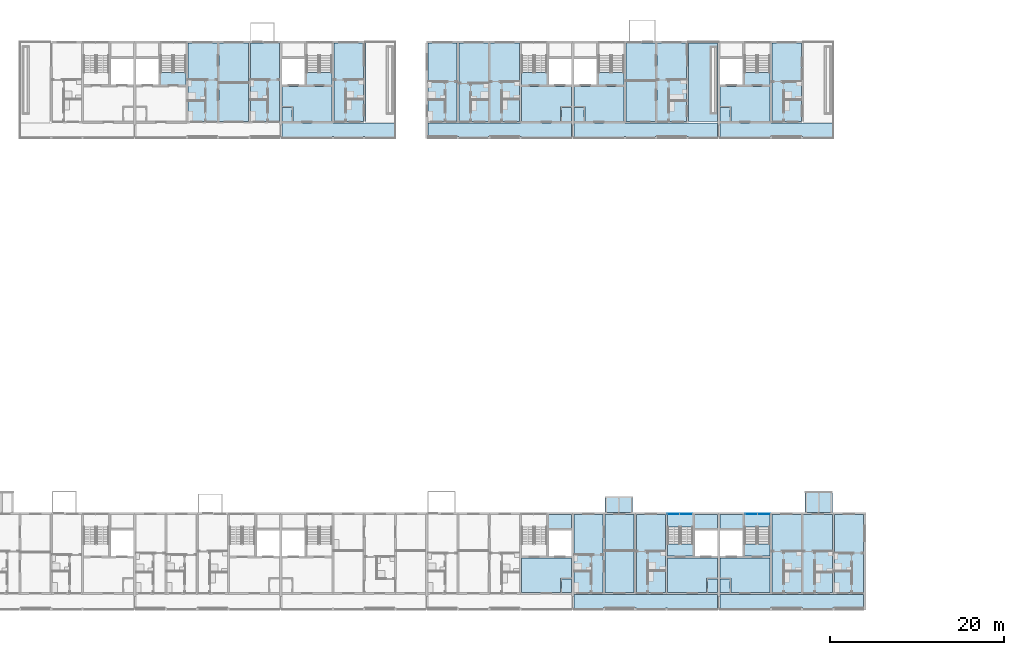
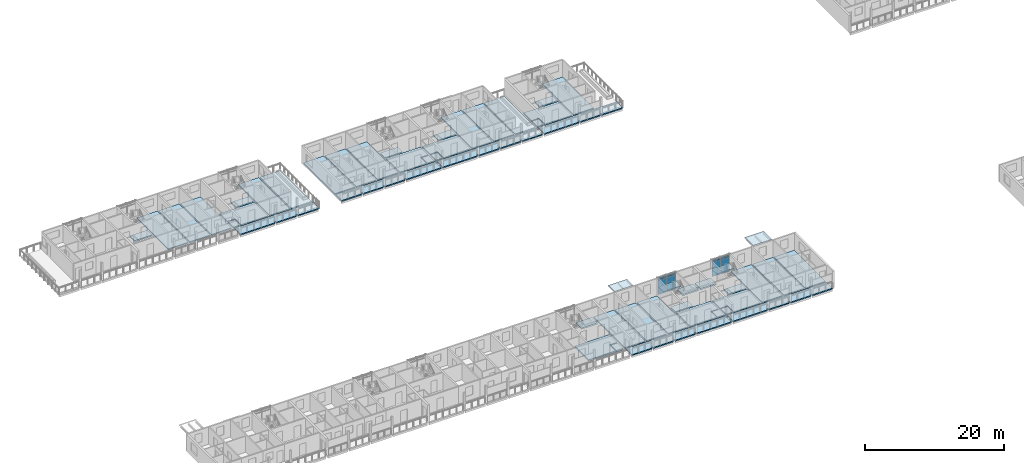
# One storey, part 24 of 94: 52 slabs, 8 plates, 4 elements without a shape of their own.
"""IFC4 building model written with IfcOpenShell, lengths in metres."""

from ifc_helpers import new_model, si_unit, direction, frame, origin, origin_2d, place, context, subcontext, project, spatial, polyline, rectangle, outline, extrude, material, layer, layer_set, type_object, element, aggregate, save


model = new_model("IFC4")

# Units and contexts
model_context = context("Model", 3, precision=1e-05, world=origin(), true_north=direction((0.0, 1.0)))
body_context = subcontext(model_context, "Body", "Model", "MODEL_VIEW")
ifc_project = project(units=[si_unit("LENGTHUNIT", "METRE"), si_unit("AREAUNIT", "SQUARE_METRE"), si_unit("VOLUMEUNIT", "CUBIC_METRE"), si_unit("PLANEANGLEUNIT", "RADIAN"), si_unit("MASSUNIT", "GRAM", prefix="KILO")], contexts=[model_context])

# Site, building, storey
site_placement = place(None, origin())
site = spatial("IfcSite", under=ifc_project, at=site_placement, CompositionType="ELEMENT")
building_placement = place(site_placement, origin())
building = spatial("IfcBuilding", under=site, at=building_placement, Name="Ridgestep Commons", CompositionType="ELEMENT")
storey_placement = place(building_placement, frame((0.0, 0.0, 21.0)))
storey = spatial("IfcBuildingStorey", under=building, at=storey_placement, Name="L07", CompositionType="ELEMENT", Elevation=21.0)

# Slabs
ifc_material_1 = material(Name="Precast concrete C40/50", Category="concrete")
ifc_layer_1 = layer(ifc_material_1, 0.199951171875)
ifc_layer_set_1 = layer_set([ifc_layer_1], Name="Gallery slab 200")
slab_type_1 = type_object("IfcSlabType", Name="Gallery slab 200", PredefinedType="FLOOR", material=ifc_layer_set_1)
slab_1_placement = place(storey_placement, frame((0.0, 0.0, -0.199951171875)))
element("IfcSlab", 1, at=slab_1_placement, inside=storey, type_object=slab_type_1, Name="Gallery slab A5 L07", PredefinedType="FLOOR", context=body_context, shape_type="SweptSolid", body=[
    extrude(outline(polyline([(95.85009765625, 13.550048828125), (79.35009765625, 13.550048828125), (79.35009765625, 11.75), (82.675048828125, 11.75), (82.675048828125, 12.0), (82.925048828125, 12.0), (82.925048828125, 11.75), (86.27490234375, 11.75), (86.27490234375, 12.0), (86.52490234375, 12.0), (86.52490234375, 11.75), (89.875, 11.75), (89.875, 12.0), (90.125, 12.0), (90.125, 11.75), (95.85009765625, 11.75), (95.85009765625, 13.550048828125)])), origin(), (0.0, 0.0, 1.0), 0.199951171875),
])
slab_2_placement = place(storey_placement, frame((0.0, 0.0, -0.199951171875)))
element("IfcSlab", 2, at=slab_2_placement, inside=storey, type_object=slab_type_1, Name="Gallery slab A6 L07", PredefinedType="FLOOR", context=body_context, shape_type="SweptSolid", body=[
    extrude(outline(polyline([(112.64990234375, 13.550048828125), (96.14990234375, 13.550048828125), (96.14990234375, 11.75), (101.875, 11.75), (101.875, 12.0), (102.125, 12.0), (102.125, 11.75), (105.47509765625, 11.75), (105.47509765625, 12.0), (105.72509765625, 12.0), (105.72509765625, 11.75), (109.074951171875, 11.75), (109.074951171875, 12.0), (109.324951171875, 12.0), (109.324951171875, 11.75), (112.64990234375, 11.75), (112.64990234375, 13.550048828125)])), origin(), (0.0, 0.0, 1.0), 0.199951171875),
])
slab_3_placement = place(storey_placement, frame((0.0, 0.0, -0.199951171875)))
element("IfcSlab", 3, at=slab_3_placement, inside=storey, type_object=slab_type_1, Name="Gallery slab B3 L07", PredefinedType="FLOOR", context=body_context, shape_type="SweptSolid", body=[
    extrude(outline(polyline([(58.800048828125, 67.800048828125), (45.75, 67.800048828125), (45.75, 66.0), (51.47509765625, 66.0), (51.47509765625, 66.25), (51.72509765625, 66.25), (51.72509765625, 66.0), (55.074951171875, 66.0), (55.074951171875, 66.25), (55.324951171875, 66.25), (55.324951171875, 66.0), (58.675048828125, 66.0), (58.675048828125, 66.25), (58.800048828125, 66.25), (58.800048828125, 67.800048828125)])), origin(), (0.0, 0.0, 1.0), 0.199951171875),
])
slab_4_placement = place(storey_placement, frame((0.0, 0.0, -0.199951171875)))
element("IfcSlab", 4, at=slab_4_placement, inside=storey, type_object=slab_type_1, Name="Gallery slab B4 L07", PredefinedType="FLOOR", context=body_context, shape_type="SweptSolid", body=[
    extrude(outline(polyline([(79.050048828125, 67.800048828125), (62.550048828125, 67.800048828125), (62.550048828125, 66.0), (65.875, 66.0), (65.875, 66.25), (66.125, 66.25), (66.125, 66.0), (69.47509765625, 66.0), (69.47509765625, 66.25), (69.72509765625, 66.25), (69.72509765625, 66.0), (73.074951171875, 66.0), (73.074951171875, 66.25), (73.324951171875, 66.25), (73.324951171875, 66.0), (79.050048828125, 66.0), (79.050048828125, 67.800048828125)])), origin(), (0.0, 0.0, 1.0), 0.199951171875),
])
slab_5_placement = place(storey_placement, frame((0.0, 0.0, -0.199951171875)))
element("IfcSlab", 5, at=slab_5_placement, inside=storey, type_object=slab_type_1, Name="Gallery slab B5 L07", PredefinedType="FLOOR", context=body_context, shape_type="SweptSolid", body=[
    extrude(outline(polyline([(95.85009765625, 67.800048828125), (79.35009765625, 67.800048828125), (79.35009765625, 66.0), (85.074951171875, 66.0), (85.074951171875, 66.25), (85.324951171875, 66.25), (85.324951171875, 66.0), (88.675048828125, 66.0), (88.675048828125, 66.25), (88.925048828125, 66.25), (88.925048828125, 66.0), (92.27490234375, 66.0), (92.27490234375, 66.25), (92.52490234375, 66.25), (92.52490234375, 66.0), (95.85009765625, 66.0), (95.85009765625, 67.800048828125)])), origin(), (0.0, 0.0, 1.0), 0.199951171875),
])
slab_6_placement = place(storey_placement, frame((0.0, 0.0, -0.199951171875)))
element("IfcSlab", 6, at=slab_6_placement, inside=storey, type_object=slab_type_1, Name="Gallery slab B6 L07", PredefinedType="FLOOR", context=body_context, shape_type="SweptSolid", body=[
    extrude(outline(polyline([(109.199951171875, 67.800048828125), (96.14990234375, 67.800048828125), (96.14990234375, 66.0), (101.875, 66.0), (101.875, 66.25), (102.125, 66.25), (102.125, 66.0), (105.47509765625, 66.0), (105.47509765625, 66.25), (105.72509765625, 66.25), (105.72509765625, 66.0), (109.074951171875, 66.0), (109.074951171875, 66.25), (109.199951171875, 66.25), (109.199951171875, 67.800048828125)])), origin(), (0.0, 0.0, 1.0), 0.199951171875),
])

# Curtain wall, plates
ifc_material_2 = material(Name="Aluminium 6063-T6 and glass", Category="aluminium")
curtain_wall_type = type_object("IfcCurtainWallType", Name="Curtain wall stair strip", PredefinedType="NOTDEFINED", material=ifc_material_2)
curtain_wall_1_placement = place(storey_placement, origin())
curtain_wall_1 = element("IfcCurtainWall", 7, at=curtain_wall_1_placement, inside=storey, type_object=curtain_wall_type, Name="Curtain wall A5C level 07", PredefinedType="NOTDEFINED")
ifc_material_3 = material(Name="Glass laminated 6/16/6 low-emissivity", Category="glass")
ifc_layer_2 = layer(ifc_material_3, 0.028076171875)
ifc_layer_set_2 = layer_set([ifc_layer_2], Name="Glazing panel 28")
plate_type_1 = type_object("IfcPlateType", Name="Glazing panel 28", PredefinedType="CURTAIN_PANEL", material=ifc_layer_set_2)
plate_1_placement = place(storey_placement, frame((90.771240234375, 22.830078125, 0.06005859375), z_axis=(0.0, 0.0, 1.0), x_axis=(1.0, 0.0, 0.0)))
plate_1 = element("IfcPlate", 8, at=plate_1_placement, type_object=plate_type_1, Name="CW1 panel 1.1", PredefinedType="CURTAIN_PANEL", context=body_context, shape_type="SweptSolid", body=[
    extrude(rectangle(XDim=1.422607421875, YDim=0.028076171875, at=origin_2d()), origin(), (0.0, 0.0, 1.0), 2.5),
])
plate_2_placement = place(storey_placement, frame((92.253662109375, 22.830078125, 0.06005859375), z_axis=(0.0, 0.0, 1.0), x_axis=(1.0, 0.0, 0.0)))
plate_2 = element("IfcPlate", 9, at=plate_2_placement, type_object=plate_type_1, Name="CW1 panel 2.1", PredefinedType="CURTAIN_PANEL", context=body_context, shape_type="SweptSolid", body=[
    extrude(rectangle(XDim=1.422607421875, YDim=0.028076171875, at=origin_2d()), origin(), (0.0, 0.0, 1.0), 2.5),
])

curtain_wall_2_placement = place(storey_placement, origin())
curtain_wall_2 = element("IfcCurtainWall", 10, at=curtain_wall_2_placement, inside=storey, type_object=curtain_wall_type, Name="Curtain wall A6C level 07", PredefinedType="NOTDEFINED")
plate_3_placement = place(storey_placement, frame((99.746337890625, 22.830078125, 0.06005859375), z_axis=(0.0, 0.0, 1.0), x_axis=(1.0, 0.0, 0.0)))
plate_3 = element("IfcPlate", 11, at=plate_3_placement, type_object=plate_type_1, Name="CW1 panel 1.1", PredefinedType="CURTAIN_PANEL", context=body_context, shape_type="SweptSolid", body=[
    extrude(rectangle(XDim=1.422607421875, YDim=0.028076171875, at=origin_2d()), origin(), (0.0, 0.0, 1.0), 2.5),
])
plate_4_placement = place(storey_placement, frame((101.228759765625, 22.830078125, 0.06005859375), z_axis=(0.0, 0.0, 1.0), x_axis=(1.0, 0.0, 0.0)))
plate_4 = element("IfcPlate", 12, at=plate_4_placement, type_object=plate_type_1, Name="CW1 panel 2.1", PredefinedType="CURTAIN_PANEL", context=body_context, shape_type="SweptSolid", body=[
    extrude(rectangle(XDim=1.422607421875, YDim=0.028076171875, at=origin_2d()), origin(), (0.0, 0.0, 1.0), 2.5),
])

# Slabs
ifc_material_4 = material(Name="Precast concrete C50/60", Category="concrete")
ifc_layer_3 = layer(ifc_material_4, 0.199951171875)
ifc_layer_set_3 = layer_set([ifc_layer_3], Name="Hollow-core plank 200")
slab_type_2 = type_object("IfcSlabType", Name="Hollow-core plank 200", PredefinedType="FLOOR", material=ifc_layer_set_3)
slab_7_placement = place(storey_placement, frame((0.0, 0.0, -0.199951171875)))
element("IfcSlab", 13, at=slab_7_placement, inside=storey, type_object=slab_type_2, Name="Floor plank A5T1 L07", PredefinedType="FLOOR", context=body_context, shape_type="SweptSolid", body=[
    extrude(outline(polyline([(82.699951171875, 13.75), (82.699951171875, 22.75), (79.35009765625, 22.75), (79.35009765625, 13.75), (82.699951171875, 13.75)])), origin(), (0.0, 0.0, 1.0), 0.199951171875),
])
slab_8_placement = place(storey_placement, frame((0.0, 0.0, -0.199951171875)))
element("IfcSlab", 14, at=slab_8_placement, inside=storey, type_object=slab_type_2, Name="Floor plank A5T2 L07", PredefinedType="FLOOR", context=body_context, shape_type="SweptSolid", body=[
    extrude(outline(polyline([(86.27490234375, 13.75), (86.27490234375, 22.75), (82.89990234375, 22.75), (82.89990234375, 13.75), (86.27490234375, 13.75)])), origin(), (0.0, 0.0, 1.0), 0.199951171875),
])
slab_9_placement = place(storey_placement, frame((0.0, 0.0, -0.199951171875)))
element("IfcSlab", 15, at=slab_9_placement, inside=storey, type_object=slab_type_2, Name="Floor plank A5T3 L07", PredefinedType="FLOOR", context=body_context, shape_type="SweptSolid", body=[
    extrude(outline(polyline([(89.875, 13.75), (89.875, 22.75), (86.52490234375, 22.75), (86.52490234375, 13.75), (89.875, 13.75)])), origin(), (0.0, 0.0, 1.0), 0.199951171875),
])
slab_10_placement = place(storey_placement, frame((0.0, 0.0, -0.199951171875)))
element("IfcSlab", 16, at=slab_10_placement, inside=storey, type_object=slab_type_2, Name="Floor plank A6T3 L07", PredefinedType="FLOOR", context=body_context, shape_type="SweptSolid", body=[
    extrude(outline(polyline([(105.5, 13.75), (105.5, 22.75), (102.125, 22.75), (102.125, 13.75), (105.5, 13.75)])), origin(), (0.0, 0.0, 1.0), 0.199951171875),
])
slab_11_placement = place(storey_placement, frame((0.0, 0.0, -0.199951171875)))
element("IfcSlab", 17, at=slab_11_placement, inside=storey, type_object=slab_type_2, Name="Floor plank A6T2 L07", PredefinedType="FLOOR", context=body_context, shape_type="SweptSolid", body=[
    extrude(outline(polyline([(109.10009765625, 13.75), (109.10009765625, 22.75), (105.699951171875, 22.75), (105.699951171875, 13.75), (109.10009765625, 13.75)])), origin(), (0.0, 0.0, 1.0), 0.199951171875),
])
slab_12_placement = place(storey_placement, frame((0.0, 0.0, -0.199951171875)))
element("IfcSlab", 18, at=slab_12_placement, inside=storey, type_object=slab_type_2, Name="Floor plank A6T1 L07", PredefinedType="FLOOR", context=body_context, shape_type="SweptSolid", body=[
    extrude(outline(polyline([(112.64990234375, 13.75), (112.64990234375, 22.75), (109.300048828125, 22.75), (109.300048828125, 13.75), (112.64990234375, 13.75)])), origin(), (0.0, 0.0, 1.0), 0.199951171875),
])
slab_13_placement = place(storey_placement, frame((0.0, 0.0, -0.199951171875)))
element("IfcSlab", 19, at=slab_13_placement, inside=storey, type_object=slab_type_2, Name="Floor plank B2T3 L07", PredefinedType="FLOOR", context=body_context, shape_type="SweptSolid", body=[
    extrude(outline(polyline([(38.300048828125, 68.0), (38.300048828125, 77.0), (34.925048828125, 77.0), (34.925048828125, 68.0), (38.300048828125, 68.0)])), origin(), (0.0, 0.0, 1.0), 0.199951171875),
])
slab_14_placement = place(storey_placement, frame((0.0, 0.0, -0.199951171875)))
element("IfcSlab", 20, at=slab_14_placement, inside=storey, type_object=slab_type_2, Name="Floor plank B2T2 L07", PredefinedType="FLOOR", context=body_context, shape_type="SweptSolid", body=[
    extrude(outline(polyline([(41.89990234375, 68.0), (41.89990234375, 77.0), (38.5, 77.0), (38.5, 68.0), (41.89990234375, 68.0)])), origin(), (0.0, 0.0, 1.0), 0.199951171875),
])
slab_15_placement = place(storey_placement, frame((0.0, 0.0, -0.199951171875)))
element("IfcSlab", 21, at=slab_15_placement, inside=storey, type_object=slab_type_2, Name="Floor plank B2T1 L07", PredefinedType="FLOOR", context=body_context, shape_type="SweptSolid", body=[
    extrude(outline(polyline([(45.449951171875, 68.0), (45.449951171875, 77.0), (42.10009765625, 77.0), (42.10009765625, 68.0), (45.449951171875, 68.0)])), origin(), (0.0, 0.0, 1.0), 0.199951171875),
])
slab_16_placement = place(storey_placement, frame((0.0, 0.0, -0.199951171875)))
element("IfcSlab", 22, at=slab_16_placement, inside=storey, type_object=slab_type_2, Name="Floor plank B3T3 L07", PredefinedType="FLOOR", context=body_context, shape_type="SweptSolid", body=[
    extrude(outline(polyline([(55.10009765625, 68.0), (55.10009765625, 77.0), (51.72509765625, 77.0), (51.72509765625, 68.0), (55.10009765625, 68.0)])), origin(), (0.0, 0.0, 1.0), 0.199951171875),
])
slab_17_placement = place(storey_placement, frame((0.0, 0.0, -0.199951171875)))
element("IfcSlab", 23, at=slab_17_placement, inside=storey, type_object=slab_type_2, Name="Floor plank B4T1 L07", PredefinedType="FLOOR", context=body_context, shape_type="SweptSolid", body=[
    extrude(outline(polyline([(65.89990234375, 68.0), (65.89990234375, 77.0), (62.550048828125, 77.0), (62.550048828125, 68.0), (65.89990234375, 68.0)])), origin(), (0.0, 0.0, 1.0), 0.199951171875),
])
slab_18_placement = place(storey_placement, frame((0.0, 0.0, -0.199951171875)))
element("IfcSlab", 24, at=slab_18_placement, inside=storey, type_object=slab_type_2, Name="Floor plank B4T2 L07", PredefinedType="FLOOR", context=body_context, shape_type="SweptSolid", body=[
    extrude(outline(polyline([(69.5, 68.0), (69.5, 77.0), (66.10009765625, 77.0), (66.10009765625, 68.0), (69.5, 68.0)])), origin(), (0.0, 0.0, 1.0), 0.199951171875),
])
slab_19_placement = place(storey_placement, frame((0.0, 0.0, -0.199951171875)))
element("IfcSlab", 25, at=slab_19_placement, inside=storey, type_object=slab_type_2, Name="Floor plank B4T3 L07", PredefinedType="FLOOR", context=body_context, shape_type="SweptSolid", body=[
    extrude(outline(polyline([(73.074951171875, 68.0), (73.074951171875, 77.0), (69.699951171875, 77.0), (69.699951171875, 68.0), (73.074951171875, 68.0)])), origin(), (0.0, 0.0, 1.0), 0.199951171875),
])
slab_20_placement = place(storey_placement, frame((0.0, 0.0, -0.199951171875)))
element("IfcSlab", 26, at=slab_20_placement, inside=storey, type_object=slab_type_2, Name="Floor plank B5T3 L07", PredefinedType="FLOOR", context=body_context, shape_type="SweptSolid", body=[
    extrude(outline(polyline([(88.699951171875, 68.0), (88.699951171875, 77.0), (85.324951171875, 77.0), (85.324951171875, 68.0), (88.699951171875, 68.0)])), origin(), (0.0, 0.0, 1.0), 0.199951171875),
])
slab_21_placement = place(storey_placement, frame((0.0, 0.0, -0.199951171875)))
element("IfcSlab", 27, at=slab_21_placement, inside=storey, type_object=slab_type_2, Name="Floor plank B5T2 L07", PredefinedType="FLOOR", context=body_context, shape_type="SweptSolid", body=[
    extrude(outline(polyline([(92.300048828125, 68.0), (92.300048828125, 77.0), (88.89990234375, 77.0), (88.89990234375, 68.0), (92.300048828125, 68.0)])), origin(), (0.0, 0.0, 1.0), 0.199951171875),
])
slab_22_placement = place(storey_placement, frame((0.0, 0.0, -0.199951171875)))
element("IfcSlab", 28, at=slab_22_placement, inside=storey, type_object=slab_type_2, Name="Floor plank B6T3 L07", PredefinedType="FLOOR", context=body_context, shape_type="SweptSolid", body=[
    extrude(outline(polyline([(105.5, 68.0), (105.5, 77.0), (102.125, 77.0), (102.125, 68.0), (105.5, 68.0)])), origin(), (0.0, 0.0, 1.0), 0.199951171875),
])
ifc_material_5 = material(Name="Precast concrete C50/60", Category="concrete")
ifc_layer_4 = layer(ifc_material_5, 0.25)
ifc_layer_set_4 = layer_set([ifc_layer_4], Name="Hollow-core plank 250")
slab_type_3 = type_object("IfcSlabType", Name="Hollow-core plank 250", PredefinedType="FLOOR", material=ifc_layer_set_4)
slab_23_placement = place(storey_placement, frame((0.0, 0.0, -0.25)))
element("IfcSlab", 29, at=slab_23_placement, inside=storey, type_object=slab_type_3, Name="Floor plank A4C L07", PredefinedType="FLOOR", context=body_context, shape_type="SweptSolid", body=[
    extrude(outline(polyline([(77.919921875, 15.469970703125), (79.050048828125, 15.469970703125), (79.050048828125, 17.75), (73.324951171875, 17.75), (73.324951171875, 13.75), (77.800048828125, 13.75), (77.800048828125, 15.469970703125), (77.919921875, 15.469970703125)])), origin(), (0.0, 0.0, 1.0), 0.25),
])
slab_24_placement = place(storey_placement, frame((0.0, 0.0, -0.25)))
element("IfcSlab", 30, at=slab_24_placement, inside=storey, type_object=slab_type_3, Name="Floor plank A4C L07", PredefinedType="FLOOR", context=body_context, shape_type="SweptSolid", body=[
    extrude(outline(polyline([(79.050048828125, 21.14990234375), (79.050048828125, 22.75), (76.425048828125, 22.75), (76.425048828125, 21.14990234375), (79.050048828125, 21.14990234375)])), origin(), (0.0, 0.0, 1.0), 0.25),
])
slab_25_placement = place(storey_placement, frame((0.0, 0.0, -0.25)))
element("IfcSlab", 31, at=slab_25_placement, inside=storey, type_object=slab_type_3, Name="Floor plank A4C L07", PredefinedType="FLOOR", context=body_context, shape_type="SweptSolid", body=[
    extrude(outline(polyline([(77.919921875, 13.75), (79.050048828125, 13.75), (79.050048828125, 15.35009765625), (77.919921875, 15.35009765625), (77.919921875, 13.75)])), origin(), (0.0, 0.0, 1.0), 0.25),
])
slab_26_placement = place(storey_placement, frame((0.0, 0.0, -0.25)))
element("IfcSlab", 32, at=slab_26_placement, inside=storey, type_object=slab_type_3, Name="Floor plank A5C L07", PredefinedType="FLOOR", context=body_context, shape_type="SweptSolid", body=[
    extrude(outline(polyline([(94.719970703125, 15.469970703125), (95.85009765625, 15.469970703125), (95.85009765625, 17.75), (90.125, 17.75), (90.125, 13.75), (94.60009765625, 13.75), (94.60009765625, 15.469970703125), (94.719970703125, 15.469970703125)])), origin(), (0.0, 0.0, 1.0), 0.25),
])
slab_27_placement = place(storey_placement, frame((0.0, 0.0, -0.25)))
element("IfcSlab", 33, at=slab_27_placement, inside=storey, type_object=slab_type_3, Name="Floor plank A5C L07", PredefinedType="FLOOR", context=body_context, shape_type="SweptSolid", body=[
    extrude(outline(polyline([(95.85009765625, 21.14990234375), (95.85009765625, 22.75), (93.22509765625, 22.75), (93.22509765625, 21.14990234375), (95.85009765625, 21.14990234375)])), origin(), (0.0, 0.0, 1.0), 0.25),
])
slab_28_placement = place(storey_placement, frame((0.0, 0.0, -0.25)))
element("IfcSlab", 34, at=slab_28_placement, inside=storey, type_object=slab_type_3, Name="Floor plank A5C L07", PredefinedType="FLOOR", context=body_context, shape_type="SweptSolid", body=[
    extrude(outline(polyline([(93.02490234375, 17.949951171875), (93.02490234375, 19.35009765625), (90.125, 19.35009765625), (90.125, 17.949951171875), (93.02490234375, 17.949951171875)])), origin(), (0.0, 0.0, 1.0), 0.25),
])
slab_29_placement = place(storey_placement, frame((0.0, 0.0, -0.25)))
element("IfcSlab", 35, at=slab_29_placement, inside=storey, type_object=slab_type_3, Name="Floor plank A5C L07", PredefinedType="FLOOR", context=body_context, shape_type="SweptSolid", body=[
    extrude(outline(polyline([(94.719970703125, 13.75), (95.85009765625, 13.75), (95.85009765625, 15.35009765625), (94.719970703125, 15.35009765625), (94.719970703125, 13.75)])), origin(), (0.0, 0.0, 1.0), 0.25),
])
slab_30_placement = place(storey_placement, frame((0.0, 0.0, -0.25)))
element("IfcSlab", 36, at=slab_30_placement, inside=storey, type_object=slab_type_3, Name="Floor plank A6C L07", PredefinedType="FLOOR", context=body_context, shape_type="SweptSolid", body=[
    extrude(outline(polyline([(97.39990234375, 13.75), (101.875, 13.75), (101.875, 17.75), (96.14990234375, 17.75), (96.14990234375, 15.469970703125), (97.280029296875, 15.469970703125), (97.39990234375, 15.469970703125), (97.39990234375, 13.75)])), origin(), (0.0, 0.0, 1.0), 0.25),
])
slab_31_placement = place(storey_placement, frame((0.0, 0.0, -0.25)))
element("IfcSlab", 37, at=slab_31_placement, inside=storey, type_object=slab_type_3, Name="Floor plank A6C L07", PredefinedType="FLOOR", context=body_context, shape_type="SweptSolid", body=[
    extrude(outline(polyline([(98.77490234375, 22.75), (96.14990234375, 22.75), (96.14990234375, 21.14990234375), (98.77490234375, 21.14990234375), (98.77490234375, 22.75)])), origin(), (0.0, 0.0, 1.0), 0.25),
])
slab_32_placement = place(storey_placement, frame((0.0, 0.0, -0.25)))
element("IfcSlab", 38, at=slab_32_placement, inside=storey, type_object=slab_type_3, Name="Floor plank A6C L07", PredefinedType="FLOOR", context=body_context, shape_type="SweptSolid", body=[
    extrude(outline(polyline([(101.875, 17.949951171875), (101.875, 19.35009765625), (98.97509765625, 19.35009765625), (98.97509765625, 17.949951171875), (101.875, 17.949951171875)])), origin(), (0.0, 0.0, 1.0), 0.25),
])
slab_33_placement = place(storey_placement, frame((0.0, 0.0, -0.25)))
element("IfcSlab", 39, at=slab_33_placement, inside=storey, type_object=slab_type_3, Name="Floor plank A6C L07", PredefinedType="FLOOR", context=body_context, shape_type="SweptSolid", body=[
    extrude(outline(polyline([(97.280029296875, 15.35009765625), (96.14990234375, 15.35009765625), (96.14990234375, 13.75), (97.280029296875, 13.75), (97.280029296875, 15.35009765625)])), origin(), (0.0, 0.0, 1.0), 0.25),
])
slab_34_placement = place(storey_placement, frame((0.0, 0.0, -0.25)))
element("IfcSlab", 40, at=slab_34_placement, inside=storey, type_object=slab_type_3, Name="Floor plank B2C L07", PredefinedType="FLOOR", context=body_context, shape_type="SweptSolid", body=[
    extrude(outline(polyline([(34.675048828125, 72.199951171875), (34.675048828125, 73.60009765625), (31.77490234375, 73.60009765625), (31.77490234375, 72.199951171875), (34.675048828125, 72.199951171875)])), origin(), (0.0, 0.0, 1.0), 0.25),
])
slab_35_placement = place(storey_placement, frame((0.0, 0.0, -0.25)))
element("IfcSlab", 41, at=slab_35_placement, inside=storey, type_object=slab_type_3, Name="Floor plank B3C L07", PredefinedType="FLOOR", context=body_context, shape_type="SweptSolid", body=[
    extrude(outline(polyline([(47.0, 68.0), (51.47509765625, 68.0), (51.47509765625, 72.0), (45.75, 72.0), (45.75, 69.719970703125), (46.8798828125, 69.719970703125), (47.0, 69.719970703125), (47.0, 68.0)])), origin(), (0.0, 0.0, 1.0), 0.25),
])
slab_36_placement = place(storey_placement, frame((0.0, 0.0, -0.25)))
element("IfcSlab", 42, at=slab_36_placement, inside=storey, type_object=slab_type_3, Name="Floor plank B3C L07", PredefinedType="FLOOR", context=body_context, shape_type="SweptSolid", body=[
    extrude(outline(polyline([(51.47509765625, 72.199951171875), (51.47509765625, 73.60009765625), (48.574951171875, 73.60009765625), (48.574951171875, 72.199951171875), (51.47509765625, 72.199951171875)])), origin(), (0.0, 0.0, 1.0), 0.25),
])
slab_37_placement = place(storey_placement, frame((0.0, 0.0, -0.25)))
element("IfcSlab", 43, at=slab_37_placement, inside=storey, type_object=slab_type_3, Name="Floor plank B3C L07", PredefinedType="FLOOR", context=body_context, shape_type="SweptSolid", body=[
    extrude(outline(polyline([(46.8798828125, 69.60009765625), (45.75, 69.60009765625), (45.75, 68.0), (46.8798828125, 68.0), (46.8798828125, 69.60009765625)])), origin(), (0.0, 0.0, 1.0), 0.25),
])
slab_38_placement = place(storey_placement, frame((0.0, 0.0, -0.25)))
element("IfcSlab", 44, at=slab_38_placement, inside=storey, type_object=slab_type_3, Name="Floor plank B4C L07", PredefinedType="FLOOR", context=body_context, shape_type="SweptSolid", body=[
    extrude(outline(polyline([(77.919921875, 69.719970703125), (79.050048828125, 69.719970703125), (79.050048828125, 72.0), (73.324951171875, 72.0), (73.324951171875, 68.0), (77.800048828125, 68.0), (77.800048828125, 69.719970703125), (77.919921875, 69.719970703125)])), origin(), (0.0, 0.0, 1.0), 0.25),
])
slab_39_placement = place(storey_placement, frame((0.0, 0.0, -0.25)))
element("IfcSlab", 45, at=slab_39_placement, inside=storey, type_object=slab_type_3, Name="Floor plank B4C L07", PredefinedType="FLOOR", context=body_context, shape_type="SweptSolid", body=[
    extrude(outline(polyline([(76.22509765625, 72.199951171875), (76.22509765625, 73.60009765625), (73.324951171875, 73.60009765625), (73.324951171875, 72.199951171875), (76.22509765625, 72.199951171875)])), origin(), (0.0, 0.0, 1.0), 0.25),
])
slab_40_placement = place(storey_placement, frame((0.0, 0.0, -0.25)))
element("IfcSlab", 46, at=slab_40_placement, inside=storey, type_object=slab_type_3, Name="Floor plank B4C L07", PredefinedType="FLOOR", context=body_context, shape_type="SweptSolid", body=[
    extrude(outline(polyline([(77.919921875, 68.0), (79.050048828125, 68.0), (79.050048828125, 69.60009765625), (77.919921875, 69.60009765625), (77.919921875, 68.0)])), origin(), (0.0, 0.0, 1.0), 0.25),
])
slab_41_placement = place(storey_placement, frame((0.0, 0.0, -0.25)))
element("IfcSlab", 47, at=slab_41_placement, inside=storey, type_object=slab_type_3, Name="Floor plank B5C L07", PredefinedType="FLOOR", context=body_context, shape_type="SweptSolid", body=[
    extrude(outline(polyline([(80.60009765625, 68.0), (85.074951171875, 68.0), (85.074951171875, 72.0), (79.35009765625, 72.0), (79.35009765625, 69.719970703125), (80.47998046875, 69.719970703125), (80.60009765625, 69.719970703125), (80.60009765625, 68.0)])), origin(), (0.0, 0.0, 1.0), 0.25),
])
slab_42_placement = place(storey_placement, frame((0.0, 0.0, -0.25)))
element("IfcSlab", 48, at=slab_42_placement, inside=storey, type_object=slab_type_3, Name="Floor plank B5C L07", PredefinedType="FLOOR", context=body_context, shape_type="SweptSolid", body=[
    extrude(outline(polyline([(85.074951171875, 72.199951171875), (85.074951171875, 73.60009765625), (82.175048828125, 73.60009765625), (82.175048828125, 72.199951171875), (85.074951171875, 72.199951171875)])), origin(), (0.0, 0.0, 1.0), 0.25),
])
slab_43_placement = place(storey_placement, frame((0.0, 0.0, -0.25)))
element("IfcSlab", 49, at=slab_43_placement, inside=storey, type_object=slab_type_3, Name="Floor plank B5C L07", PredefinedType="FLOOR", context=body_context, shape_type="SweptSolid", body=[
    extrude(outline(polyline([(80.47998046875, 69.60009765625), (79.35009765625, 69.60009765625), (79.35009765625, 68.0), (80.47998046875, 68.0), (80.47998046875, 69.60009765625)])), origin(), (0.0, 0.0, 1.0), 0.25),
])
slab_44_placement = place(storey_placement, frame((0.0, 0.0, -0.25)))
element("IfcSlab", 50, at=slab_44_placement, inside=storey, type_object=slab_type_3, Name="Floor plank B6C L07", PredefinedType="FLOOR", context=body_context, shape_type="SweptSolid", body=[
    extrude(outline(polyline([(97.39990234375, 68.0), (101.875, 68.0), (101.875, 72.0), (96.14990234375, 72.0), (96.14990234375, 69.719970703125), (97.280029296875, 69.719970703125), (97.39990234375, 69.719970703125), (97.39990234375, 68.0)])), origin(), (0.0, 0.0, 1.0), 0.25),
])
slab_45_placement = place(storey_placement, frame((0.0, 0.0, -0.25)))
element("IfcSlab", 51, at=slab_45_placement, inside=storey, type_object=slab_type_3, Name="Floor plank B6C L07", PredefinedType="FLOOR", context=body_context, shape_type="SweptSolid", body=[
    extrude(outline(polyline([(101.875, 72.199951171875), (101.875, 73.60009765625), (98.97509765625, 73.60009765625), (98.97509765625, 72.199951171875), (101.875, 72.199951171875)])), origin(), (0.0, 0.0, 1.0), 0.25),
])
slab_46_placement = place(storey_placement, frame((0.0, 0.0, -0.25)))
element("IfcSlab", 52, at=slab_46_placement, inside=storey, type_object=slab_type_3, Name="Floor plank B6C L07", PredefinedType="FLOOR", context=body_context, shape_type="SweptSolid", body=[
    extrude(outline(polyline([(97.280029296875, 69.60009765625), (96.14990234375, 69.60009765625), (96.14990234375, 68.0), (97.280029296875, 68.0), (97.280029296875, 69.60009765625)])), origin(), (0.0, 0.0, 1.0), 0.25),
])
ifc_material_6 = material(Name="Precast concrete C50/60", Category="concrete")
ifc_layer_5 = layer(ifc_material_6, 0.25)
ifc_layer_set_5 = layer_set([ifc_layer_5], Name="Roof slab 250")
slab_type_4 = type_object("IfcSlabType", Name="Roof slab 250", PredefinedType="ROOF", material=ifc_layer_set_5)
slab_47_placement = place(storey_placement, frame((0.0, 0.0, -0.25)))
element("IfcSlab", 53, at=slab_47_placement, inside=storey, type_object=slab_type_4, Name="Terrace slab B3T2", PredefinedType="ROOF", context=body_context, shape_type="SweptSolid", body=[
    extrude(outline(polyline([(58.699951171875, 68.0), (58.699951171875, 77.0), (55.300048828125, 77.0), (55.300048828125, 68.0), (58.699951171875, 68.0)])), origin(), (0.0, 0.0, 1.0), 0.25),
])
slab_48_placement = place(storey_placement, frame((0.0, 0.0, -0.25)))
element("IfcSlab", 54, at=slab_48_placement, inside=storey, type_object=slab_type_4, Name="Terrace slab B5T1", PredefinedType="ROOF", context=body_context, shape_type="SweptSolid", body=[
    extrude(outline(polyline([(95.85009765625, 68.0), (95.85009765625, 77.0), (92.5, 77.0), (92.5, 68.0), (95.85009765625, 68.0)])), origin(), (0.0, 0.0, 1.0), 0.25),
])

# Plate
ifc_material_7 = material(Name="Aluminium 6063-T6 and mineral wool", Category="aluminium")
ifc_layer_6 = layer(ifc_material_7, 0.0400390625)
ifc_layer_set_6 = layer_set([ifc_layer_6], Name="Spandrel panel 40")
plate_type_2 = type_object("IfcPlateType", Name="Spandrel panel 40", PredefinedType="CURTAIN_PANEL", material=ifc_layer_set_6)
plate_5_placement = place(storey_placement, frame((90.771240234375, 22.830078125, 2.6201171875), z_axis=(0.0, 0.0, 1.0), x_axis=(1.0, 0.0, 0.0)))
plate_5 = element("IfcPlate", 55, at=plate_5_placement, type_object=plate_type_2, Name="CW1 panel 1.2", PredefinedType="CURTAIN_PANEL", context=body_context, shape_type="SweptSolid", body=[
    extrude(rectangle(XDim=1.422607421875, YDim=0.0400390625, at=origin_2d()), origin(), (0.0, 0.0, 1.0), 0.320068359375),
])

plate_6_placement = place(storey_placement, frame((92.253662109375, 22.830078125, 2.6201171875), z_axis=(0.0, 0.0, 1.0), x_axis=(1.0, 0.0, 0.0)))
plate_6 = element("IfcPlate", 56, at=plate_6_placement, type_object=plate_type_2, Name="CW1 panel 2.2", PredefinedType="CURTAIN_PANEL", context=body_context, shape_type="SweptSolid", body=[
    extrude(rectangle(XDim=1.422607421875, YDim=0.0400390625, at=origin_2d()), origin(), (0.0, 0.0, 1.0), 0.320068359375),
])

aggregate(curtain_wall_1, [plate_1, plate_5, plate_2, plate_6])

plate_7_placement = place(storey_placement, frame((99.746337890625, 22.830078125, 2.6201171875), z_axis=(0.0, 0.0, 1.0), x_axis=(1.0, 0.0, 0.0)))
plate_7 = element("IfcPlate", 57, at=plate_7_placement, type_object=plate_type_2, Name="CW1 panel 1.2", PredefinedType="CURTAIN_PANEL", context=body_context, shape_type="SweptSolid", body=[
    extrude(rectangle(XDim=1.422607421875, YDim=0.0400390625, at=origin_2d()), origin(), (0.0, 0.0, 1.0), 0.320068359375),
])

plate_8_placement = place(storey_placement, frame((101.228759765625, 22.830078125, 2.6201171875), z_axis=(0.0, 0.0, 1.0), x_axis=(1.0, 0.0, 0.0)))
plate_8 = element("IfcPlate", 58, at=plate_8_placement, type_object=plate_type_2, Name="CW1 panel 2.2", PredefinedType="CURTAIN_PANEL", context=body_context, shape_type="SweptSolid", body=[
    extrude(rectangle(XDim=1.422607421875, YDim=0.0400390625, at=origin_2d()), origin(), (0.0, 0.0, 1.0), 0.320068359375),
])

aggregate(curtain_wall_2, [plate_3, plate_7, plate_4, plate_8])

# Stair, slab
ifc_material_8 = material(Name="Precast concrete C40/50", Category="concrete")
stair_type = type_object("IfcStairType", Name="Escape stair 1400", PredefinedType="HALF_TURN_STAIR", material=ifc_material_8)
stair_1_placement = place(storey_placement, origin())
stair_1 = element("IfcStair", 59, at=stair_1_placement, inside=storey, type_object=stair_type, Name="L07 Escape stair A5C", PredefinedType="HALF_TURN_STAIR")
ifc_material_9 = material(Name="Precast concrete C40/50", Category="concrete")
ifc_layer_7 = layer(ifc_material_9, 0.199951171875)
ifc_layer_set_7 = layer_set([ifc_layer_7], Name="Stair landing 200")
slab_type_5 = type_object("IfcSlabType", Name="Stair landing 200", PredefinedType="LANDING", material=ifc_layer_set_7)
slab_49_placement = place(storey_placement, frame((0.0, 0.0, 1.300048828125)))
slab_49 = element("IfcSlab", 60, at=slab_49_placement, type_object=slab_type_5, Name="A5C landing 1", PredefinedType="LANDING", context=body_context, shape_type="SweptSolid", body=[
    extrude(outline(polyline([(93.02490234375, 21.31005859375), (93.02490234375, 22.75), (90.125, 22.75), (90.125, 21.31005859375), (93.02490234375, 21.31005859375)])), origin(), (0.0, 0.0, 1.0), 0.199951171875),
])
aggregate(stair_1, [slab_49])

stair_2_placement = place(storey_placement, origin())
stair_2 = element("IfcStair", 61, at=stair_2_placement, inside=storey, type_object=stair_type, Name="L07 Escape stair A6C", PredefinedType="HALF_TURN_STAIR")
slab_50_placement = place(storey_placement, frame((0.0, 0.0, 1.300048828125)))
slab_50 = element("IfcSlab", 62, at=slab_50_placement, type_object=slab_type_5, Name="A6C landing 1", PredefinedType="LANDING", context=body_context, shape_type="SweptSolid", body=[
    extrude(outline(polyline([(101.875, 21.31005859375), (101.875, 22.75), (98.97509765625, 22.75), (98.97509765625, 21.31005859375), (101.875, 21.31005859375)])), origin(), (0.0, 0.0, 1.0), 0.199951171875),
])
aggregate(stair_2, [slab_50])

# Slabs
ifc_material_10 = material(Name="Weathering steel S355J2W", Category="steel")
ifc_layer_8 = layer(ifc_material_10, 0.010009765625)
ifc_layer_set_8 = layer_set([ifc_layer_8], Name="Tray 3.2 x 1.8")
slab_type_6 = type_object("IfcSlabType", Name="Tray 3.2 x 1.8", PredefinedType="FLOOR", material=ifc_layer_set_8)
slab_51_placement = place(storey_placement, frame((0.0, 0.0, 2.989990234375)))
element("IfcSlab", 63, at=slab_51_placement, inside=storey, type_object=slab_type_6, Name="Tray deck A5T2-08", PredefinedType="FLOOR", context=body_context, shape_type="SweptSolid", body=[
    extrude(outline(polyline([(82.929931640625, 23.0), (86.070068359375, 23.0), (86.070068359375, 24.800048828125), (82.929931640625, 24.800048828125), (82.929931640625, 23.0)])), origin(), (0.0, 0.0, 1.0), 0.010009765625),
])
ifc_material_11 = material(Name="Weathering steel S355J2W", Category="steel")
ifc_layer_9 = layer(ifc_material_11, 0.010009765625)
ifc_layer_set_9 = layer_set([ifc_layer_9], Name="Tray 3.2 x 2.4")
slab_type_7 = type_object("IfcSlabType", Name="Tray 3.2 x 2.4", PredefinedType="FLOOR", material=ifc_layer_set_9)
slab_52_placement = place(storey_placement, frame((0.0, 0.0, 2.989990234375)))
element("IfcSlab", 64, at=slab_52_placement, inside=storey, type_object=slab_type_7, Name="Tray deck A6T2-08", PredefinedType="FLOOR", context=body_context, shape_type="SweptSolid", body=[
    extrude(outline(polyline([(105.929931640625, 23.0), (109.070068359375, 23.0), (109.070068359375, 25.39990234375), (105.929931640625, 25.39990234375), (105.929931640625, 23.0)])), origin(), (0.0, 0.0, 1.0), 0.010009765625),
])

save(model, "model.ifc")
